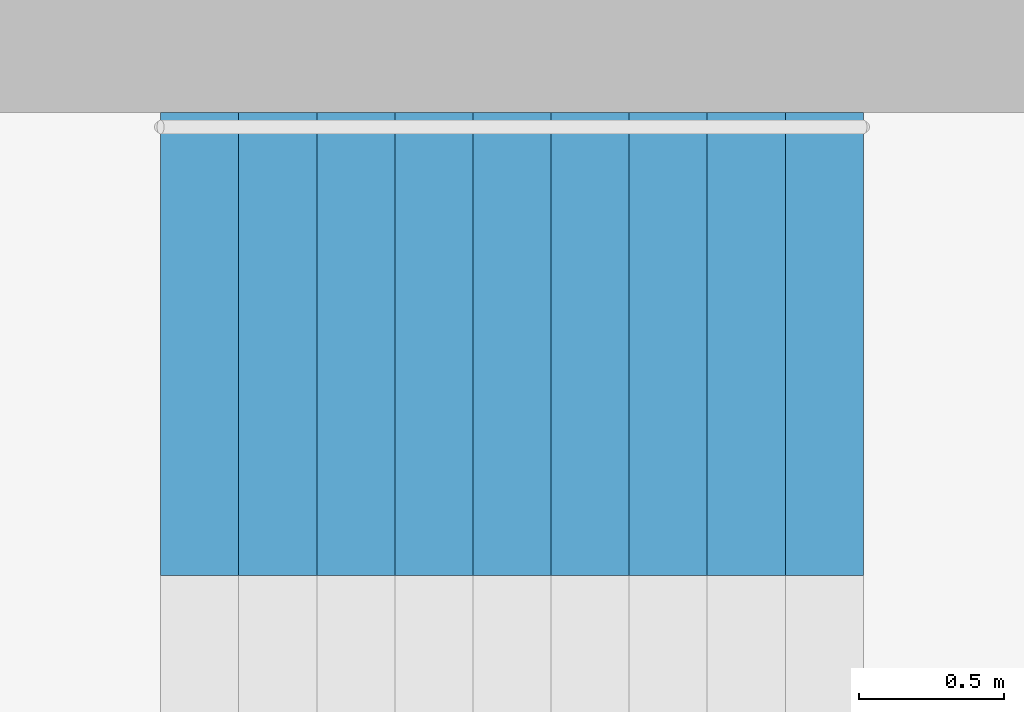
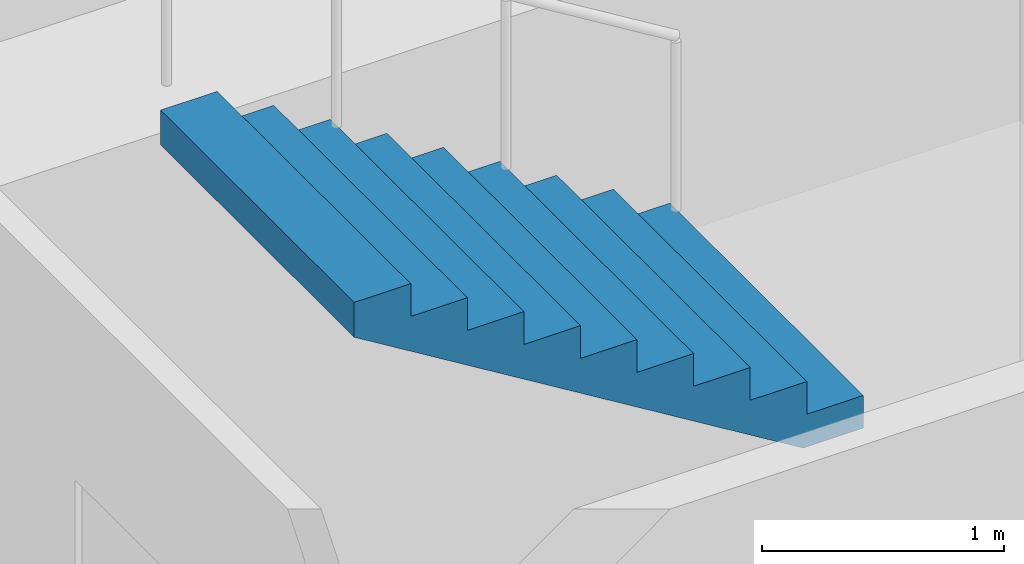
# One storey, part 11 of 14: 1 stair flight, 1 element without a shape of its own.
"""IFC4 building model written with IfcOpenShell, lengths in metres."""

from ifc_helpers import new_model, si_unit, direction, frame, origin, place, context, subcontext, project, spatial, polyline, outline, extrude, material, type_object, element, aggregate, save


model = new_model("IFC4")

# Units and contexts
model_context = context("Model", 3, precision=1e-05, world=origin(), true_north=direction((0.0, 1.0)))
body_context = subcontext(model_context, "Body", "Model", "MODEL_VIEW")
ifc_project = project(units=[si_unit("LENGTHUNIT", "METRE"), si_unit("AREAUNIT", "SQUARE_METRE"), si_unit("VOLUMEUNIT", "CUBIC_METRE"), si_unit("PLANEANGLEUNIT", "RADIAN"), si_unit("MASSUNIT", "GRAM", prefix="KILO")], contexts=[model_context])

# Site, building, storey
site_placement = place(None, origin())
site = spatial("IfcSite", under=ifc_project, at=site_placement, CompositionType="ELEMENT")
building_placement = place(site_placement, origin())
building = spatial("IfcBuilding", under=site, at=building_placement, Name="Taillehof Tower", CompositionType="ELEMENT")
storey_placement = place(building_placement, frame((0.0, 0.0, 28.300048828125)))
storey = spatial("IfcBuildingStorey", under=building, at=storey_placement, Name="L06", CompositionType="ELEMENT", Elevation=28.300048828125)

# Stair, stair flight
ifc_material_1 = material(Name="Concrete C40/50", Category="concrete")
stair_type = type_object("IfcStairType", Name="Exit stair half-turn", PredefinedType="HALF_TURN_STAIR", material=ifc_material_1)
stair_placement = place(storey_placement, origin())
stair = element("IfcStair", 1, at=stair_placement, inside=storey, type_object=stair_type, Name="Exit stair S1", PredefinedType="HALF_TURN_STAIR")
ifc_material_2 = material(Name="Concrete C40/50", Category="concrete")
stair_flight_type = type_object("IfcStairFlightType", Name="Stair flight 1600 riser 165.0 going 270", PredefinedType="STRAIGHT", material=ifc_material_2)
stair_flight_placement = place(storey_placement, frame((9.429931640625, 8.300048828125, 1.64990234375), z_axis=(0.0, 0.0, 1.0), x_axis=(-1.0, 0.0, 0.0)))
stair_flight = element("IfcStairFlight", 2, at=stair_flight_placement, type_object=stair_flight_type, Name="S1 flight 2", NumberOfRisers=10, NumberOfTreads=9, PredefinedType="STRAIGHT", RiserHeight=0.165, TreadLength=0.27, context=body_context, shape_type="SweptSolid", body=[
    extrude(outline(polyline([(0.0, 0.0), (0.0, 0.00537109375), (0.0, 0.0107421875), (0.0, 0.015869140625), (0.0, 0.021240234375), (0.0, 0.026611328125), (0.0, 0.031982421875), (0.0, 0.037353515625), (0.0, 0.04248046875), (0.0, 0.0478515625), (0.0, 0.05322265625), (0.0, 0.05859375), (0.0, 0.06396484375), (0.0, 0.069091796875), (0.0, 0.074462890625), (0.0, 0.079833984375), (0.0, 0.085205078125), (0.0, 0.090576171875), (0.0, 0.095703125), (0.0, 0.10107421875), (0.0, 0.1064453125), (0.0, 0.11181640625), (0.0, 0.1171875), (0.0, 0.122314453125), (0.0, 0.127685546875), (0.0, 0.133056640625), (0.0, 0.138427734375), (0.0, 0.143798828125), (0.0, 0.14892578125), (0.0, 0.154296875), (0.0, 0.15966796875), (0.0, 0.1650390625), (0.27001953125, 0.1650390625), (0.27001953125, 0.330078125), (0.5400390625, 0.330078125), (0.5400390625, 0.4951171875), (0.81005859375, 0.4951171875), (0.81005859375, 0.659912109375), (1.080078125, 0.659912109375), (1.080078125, 0.824951171875), (1.35009765625, 0.824951171875), (1.35009765625, 0.989990234375), (1.6201171875, 0.989990234375), (1.6201171875, 1.155029296875), (1.889892578125, 1.155029296875), (1.889892578125, 1.320068359375), (2.159912109375, 1.320068359375), (2.159912109375, 1.485107421875), (2.429931640625, 1.485107421875), (2.429931640625, 1.479248046875), (2.429931640625, 1.4736328125), (2.429931640625, 1.468017578125), (2.429931640625, 1.46240234375), (2.429931640625, 1.45654296875), (2.429931640625, 1.450927734375), (2.429931640625, 1.4453125), (2.429931640625, 1.439697265625), (2.429931640625, 1.43408203125), (2.429931640625, 1.42822265625), (2.429931640625, 1.422607421875), (2.429931640625, 1.4169921875), (2.429931640625, 1.411376953125), (2.429931640625, 1.40576171875), (2.429931640625, 1.39990234375), (2.429931640625, 1.394287109375), (2.429931640625, 1.388671875), (2.429931640625, 1.383056640625), (2.429931640625, 1.37744140625), (2.429931640625, 1.37158203125), (2.429931640625, 1.365966796875), (2.429931640625, 1.3603515625), (2.429931640625, 1.354736328125), (2.429931640625, 1.348876953125), (2.429931640625, 1.34326171875), (2.429931640625, 1.337646484375), (2.429931640625, 1.33203125), (2.429931640625, 1.326416015625), (2.429931640625, 1.320556640625), (2.429931640625, 1.31494140625), (2.429931640625, 1.309326171875), (0.287353515625, 0.0), (0.0, 0.0)])), frame((0.0, 0.800048828125, 0.0), z_axis=(0.0, -1.0, 0.0), x_axis=(1.0, 0.0, 0.0)), (0.0, 0.0, 1.0), 1.6),
])
aggregate(stair, [stair_flight])

save(model, "model.ifc")
